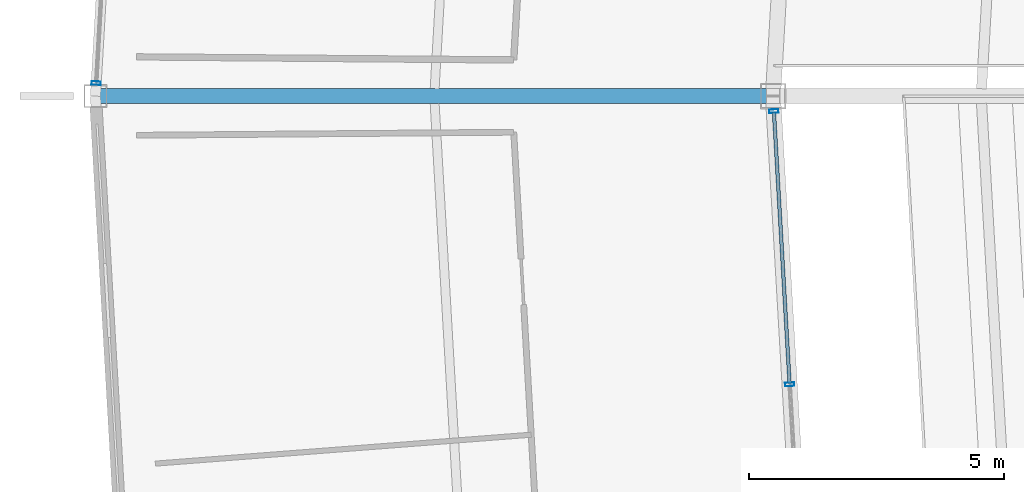
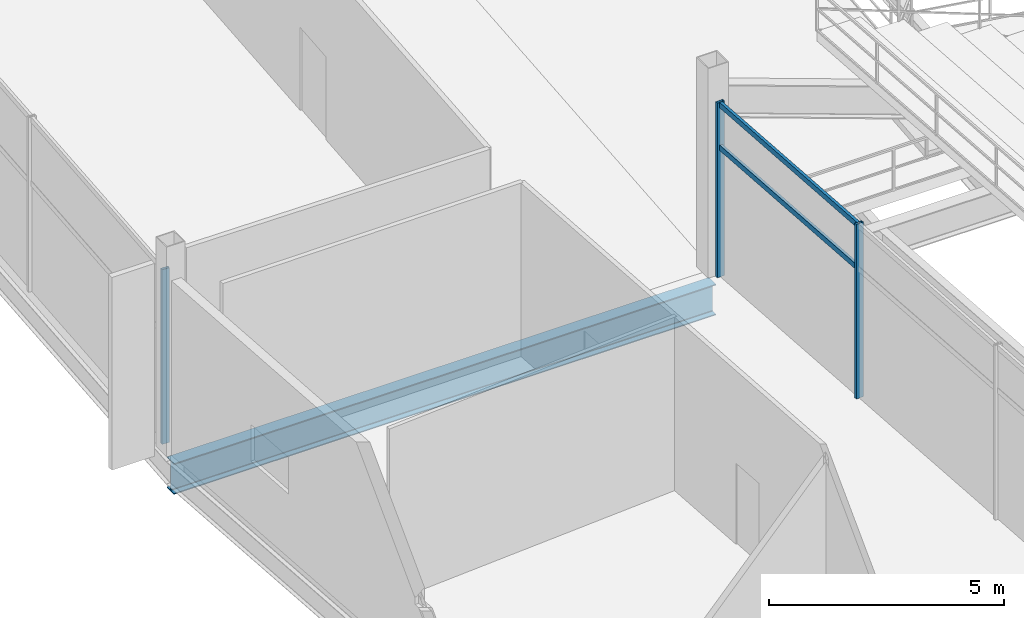
# One storey, part 46 of 186: 5 members, 1 beam, 2 elements without a shape of their own.
"""IFC4 building model written with IfcOpenShell, lengths in metres."""

from ifc_helpers import new_model, si_unit, direction, frame, origin, origin_2d, place, context, subcontext, project, spatial, hollow_rectangle, i_section, extrude, material, layer, layer_set, material_profile, profile_set, type_object, element, aggregate, save


model = new_model("IFC4")

# Units and contexts
model_context = context("Model", 3, precision=1e-05, world=origin(), true_north=direction((0.0, 1.0)))
body_context = subcontext(model_context, "Body", "Model", "MODEL_VIEW")
ifc_project = project(units=[si_unit("LENGTHUNIT", "METRE"), si_unit("AREAUNIT", "SQUARE_METRE"), si_unit("VOLUMEUNIT", "CUBIC_METRE"), si_unit("PLANEANGLEUNIT", "RADIAN"), si_unit("MASSUNIT", "GRAM", prefix="KILO")], contexts=[model_context])

# Site, building, storey
site_placement = place(None, origin())
site = spatial("IfcSite", under=ifc_project, at=site_placement, CompositionType="ELEMENT")
building_placement = place(site_placement, origin())
building = spatial("IfcBuilding", under=site, at=building_placement, Name="Kazemori Nagisa Stadium", CompositionType="ELEMENT")
storey_placement = place(building_placement, frame((0.0, 0.0, 20.39990234375)))
storey = spatial("IfcBuildingStorey", under=building, at=storey_placement, Name="L04", CompositionType="ELEMENT", Elevation=20.39990234375)

# Beam
ifc_material_1 = material(Name="Steel SN490B", Category="steel")
ifc_material_profile_1 = material_profile(ifc_material_1, i_section(OverallWidth=0.300048828125, OverallDepth=0.800048828125, WebThickness=0.013916015625, FlangeThickness=0.02587890625, FilletRadius=0.01806640625, at=origin_2d()), Name="H-800x300x14x26")
ifc_profile_set_1 = profile_set([ifc_material_profile_1], Name="Steel SN490B")
beam_type = type_object("IfcBeamType", Name="Beam_BG-H800", PredefinedType="BEAM", material=ifc_profile_set_1)
beam_placement = place(storey_placement, frame((41.300048828125, 102.0, -0.699951171875), z_axis=(-1.0, 0.0, 0.0), x_axis=(0.0, -1.0, 0.0)))
element("IfcBeam", 1, at=beam_placement, inside=storey, type_object=beam_type, Name="Radial girder BG-H800 L04 R2-R3-15", PredefinedType="BEAM", context=body_context, shape_type="SweptSolid", body=[
    extrude(i_section(OverallWidth=0.300048828125, OverallDepth=0.800048828125, WebThickness=0.013916015625, FlangeThickness=0.02587890625, FilletRadius=0.01806640625, at=origin_2d()), origin(), (0.0, 0.0, 1.0), 13.300048828125),
])

# Curtain wall, member
ifc_material_2 = material(Name="Anodised aluminium 6063-T5", Category="aluminium")
ifc_layer_1 = layer(ifc_material_2, 0.179931640625, Name="Anodised aluminium 6063-T5", Category="aluminium")
ifc_layer_set_1 = layer_set([ifc_layer_1], Name="Anodised aluminium 6063-T5")
curtain_wall_type_1 = type_object("IfcCurtainWallType", Name="CW_L04R3_95", PredefinedType="USERDEFINED", material=ifc_layer_set_1)
curtain_wall_1_placement = place(storey_placement, origin())
curtain_wall_1 = element("IfcCurtainWall", 2, at=curtain_wall_1_placement, inside=storey, type_object=curtain_wall_type_1, Name="Unitised curtain wall CW-L04R3-95 L04", ObjectType="UNITISED CURTAIN WALL", PredefinedType="USERDEFINED")
ifc_material_3 = material(Name="Aluminium 6063-T5 anodised", Category="aluminium")
ifc_material_profile_2 = material_profile(ifc_material_3, hollow_rectangle(XDim=0.070068359375, YDim=0.179931640625, WallThickness=0.00390625, at=origin_2d()), Name="ALU-MULL-70x180x4")
ifc_profile_set_2 = profile_set([ifc_material_profile_2], Name="Aluminium 6063-T5 anodised")
member_type_1 = type_object("IfcMemberType", Name="Mullion_M01", PredefinedType="MULLION", material=ifc_profile_set_2)
member_1_placement = place(storey_placement, frame((28.0146484375, 102.254638671875, 0.0), z_axis=(0.0, 0.0, 1.0), x_axis=(-0.057601670941, -0.998339645364, 0.0)))
member_1 = element("IfcMember", 3, at=member_1_placement, type_object=member_type_1, Name="Curtain wall mullion CW-L04R3-95-M4", PredefinedType="MULLION", context=body_context, shape_type="SweptSolid", body=[
    extrude(hollow_rectangle(XDim=0.070068359375, YDim=0.179931640625, WallThickness=0.00390625, at=origin_2d()), origin(), (0.0, 0.0, 1.0), 4.530029296875),
])
aggregate(curtain_wall_1, [member_1])

# Curtain wall, members
ifc_layer_2 = layer(ifc_material_2, 0.179931640625, Name="Anodised aluminium 6063-T5", Category="aluminium")
ifc_layer_set_2 = layer_set([ifc_layer_2], Name="Anodised aluminium 6063-T5")
curtain_wall_type_2 = type_object("IfcCurtainWallType", Name="CW_L04B_81", PredefinedType="USERDEFINED", material=ifc_layer_set_2)
curtain_wall_2_placement = place(storey_placement, origin())
curtain_wall_2 = element("IfcCurtainWall", 4, at=curtain_wall_2_placement, inside=storey, type_object=curtain_wall_type_2, Name="Unitised curtain wall CW-L04B-81 L04", ObjectType="UNITISED CURTAIN WALL", PredefinedType="USERDEFINED")
member_2_placement = place(storey_placement, frame((41.31689453125, 101.70556640625, 0.0), z_axis=(0.0, 0.0, 1.0), x_axis=(0.057601670941, -0.998339645364, 0.0)))
member_2 = element("IfcMember", 5, at=member_2_placement, type_object=member_type_1, Name="Curtain wall mullion CW-L04B-81-M1", PredefinedType="MULLION", context=body_context, shape_type="SweptSolid", body=[
    extrude(hollow_rectangle(XDim=0.070068359375, YDim=0.179931640625, WallThickness=0.00390625, at=origin_2d()), origin(), (0.0, 0.0, 1.0), 4.530029296875),
])
member_3_placement = place(storey_placement, frame((41.62646484375, 96.341064453125, 0.0), z_axis=(0.0, 0.0, 1.0), x_axis=(0.057601670941, -0.998339645364, 0.0)))
member_3 = element("IfcMember", 6, at=member_3_placement, type_object=member_type_1, Name="Curtain wall mullion CW-L04B-81-M2", PredefinedType="MULLION", context=body_context, shape_type="SweptSolid", body=[
    extrude(hollow_rectangle(XDim=0.070068359375, YDim=0.179931640625, WallThickness=0.00390625, at=origin_2d()), origin(), (0.0, 0.0, 1.0), 4.530029296875),
])
ifc_material_profile_3 = material_profile(ifc_material_3, hollow_rectangle(XDim=0.070068359375, YDim=0.139892578125, WallThickness=0.00390625, at=origin_2d()), Name="ALU-TRAN-70x140x4")
ifc_profile_set_3 = profile_set([ifc_material_profile_3], Name="Aluminium 6063-T5 anodised")
member_type_2 = type_object("IfcMemberType", Name="Transom_T01", PredefinedType="USERDEFINED", material=ifc_profile_set_3)
member_4_placement = place(storey_placement, frame((41.318115234375, 101.685546875, 3.352294921875), z_axis=(0.057586883719, -0.998340498439, 0.0), x_axis=(0.998340498439, 0.057586883719, 0.0)))
member_4 = element("IfcMember", 7, at=member_4_placement, type_object=member_type_2, Name="Curtain wall transom CW-L04B-81-T1-mid", ObjectType="TRANSOM", PredefinedType="USERDEFINED", context=body_context, shape_type="SweptSolid", body=[
    extrude(hollow_rectangle(XDim=0.070068359375, YDim=0.139892578125, WallThickness=0.00390625, at=origin_2d()), origin(), (0.0, 0.0, 1.0), 5.333251953125),
])
member_5_placement = place(storey_placement, frame((41.318115234375, 101.685546875, 4.460205078125), z_axis=(0.057586883719, -0.998340498439, 0.0), x_axis=(0.998340498439, 0.057586883719, 0.0)))
member_5 = element("IfcMember", 8, at=member_5_placement, type_object=member_type_2, Name="Curtain wall transom CW-L04B-81-T1-head", ObjectType="TRANSOM", PredefinedType="USERDEFINED", context=body_context, shape_type="SweptSolid", body=[
    extrude(hollow_rectangle(XDim=0.070068359375, YDim=0.139892578125, WallThickness=0.00390625, at=origin_2d()), origin(), (0.0, 0.0, 1.0), 5.333251953125),
])
aggregate(curtain_wall_2, [member_2, member_3, member_4, member_5])

save(model, "model.ifc")
